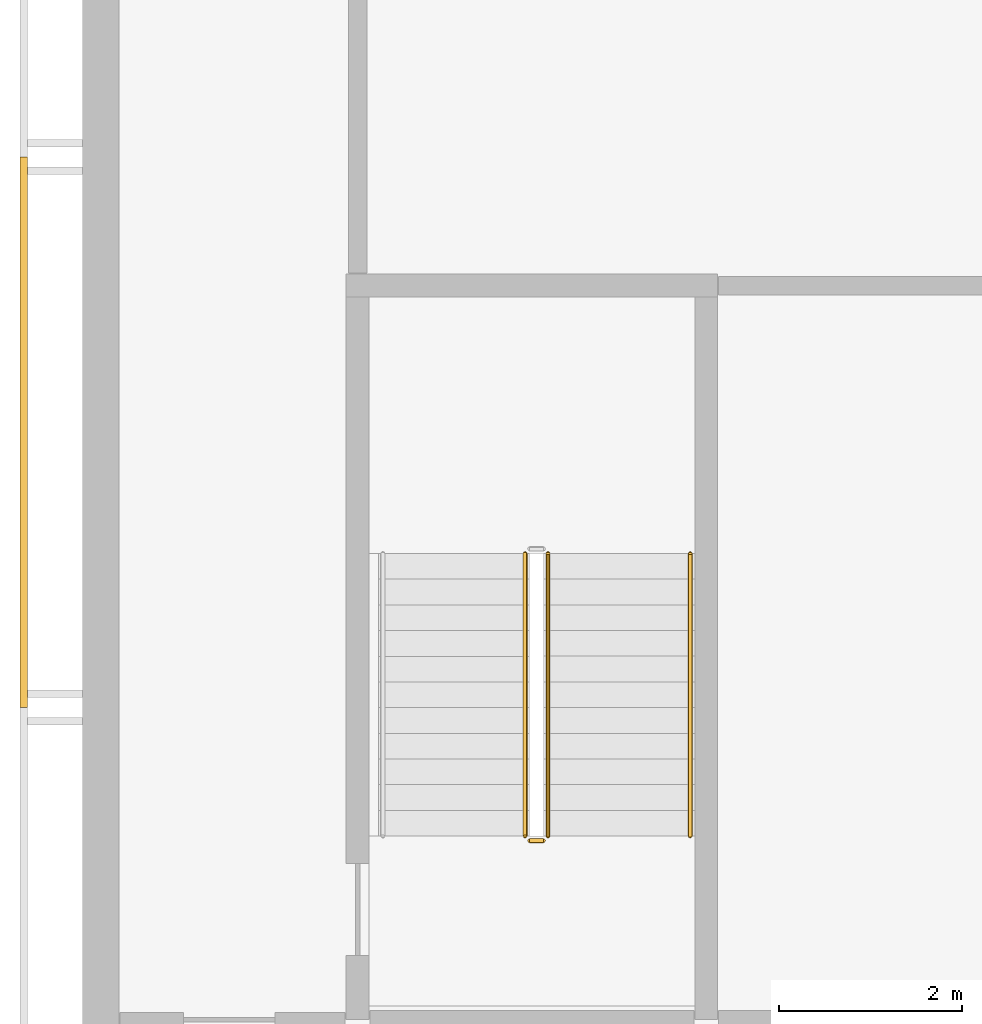
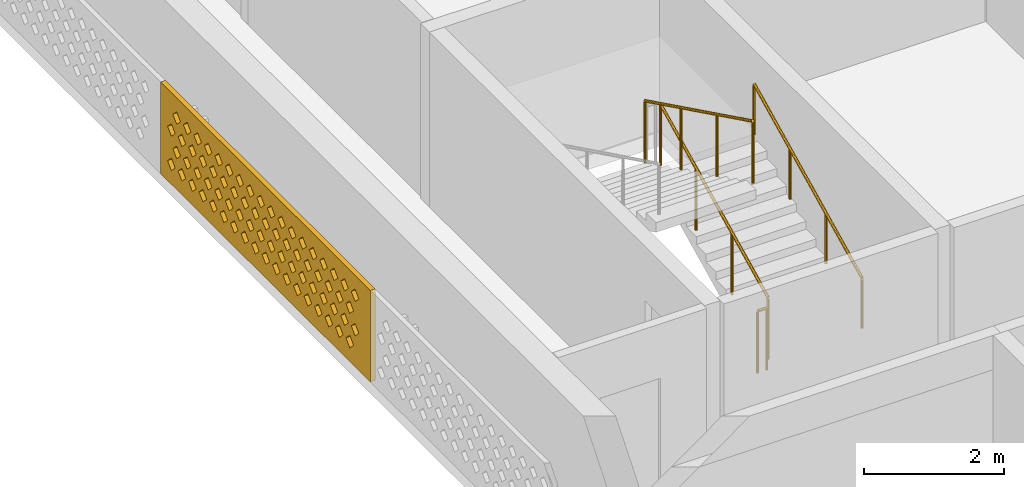
# One storey, part 8 of 18: 4 railings, 1 covering.
"""IFC4 building model written with IfcOpenShell, lengths in metres."""

import ifcopenshell
import ifcopenshell.guid

model = None  # the IFC model being written
_history = None  # IfcOwnerHistory: only IFC2X3 demands one
_inside = {}  # id of a spatial element -> (the spatial element, [elements in it])
_under = {}  # id of a project, library or spatial element -> (it, [spatial elements below it])
_declared = {}  # id of a project -> (the project, [libraries it declares])
_typed = {}  # id of a type object -> (the type object, [elements of that type])
_made_of = {}  # id of a material, layer set ... -> (it, [elements and type objects made of it])


def new_model(schema):
    """Start an empty IFC model of exactly this schema.

    Asked for "IFC4X3", IfcOpenShell would pick the latest addendum, in which some entities
    have other attributes; the version numbers below select the first issue.
    IFC2X3 requires an IfcOwnerHistory on every rooted entity: one is made here for all.
    """
    global model, _history
    if schema == "IFC4X3":
        model = ifcopenshell.file(schema_version=(4, 3, 0, 0))
    else:
        model = ifcopenshell.file(schema=schema)
    _inside.clear()
    _under.clear()
    _declared.clear()
    _typed.clear()
    _made_of.clear()
    _history = None
    if model.schema == "IFC2X3":
        org = make("IfcOrganization", Name="unknown")
        user = make(
            "IfcPersonAndOrganization",
            ThePerson=make("IfcPerson", FamilyName="unknown"),
            TheOrganization=org,
        )
        app = make(
            "IfcApplication",
            ApplicationDeveloper=org,
            Version="unknown",
            ApplicationFullName="unknown",
            ApplicationIdentifier="unknown",
        )
        _history = make(
            "IfcOwnerHistory",
            OwningUser=user,
            OwningApplication=app,
            ChangeAction="ADDED",
            CreationDate=0,
        )
    return model


def make(cls, **values):
    """One entity of the class cls with the attributes given. An attribute that is None is left unset."""
    return model.create_entity(
        cls, **{name: value for name, value in values.items() if value is not None}
    )


def rooted(cls, **values):
    """An entity with a GlobalId (a new one), such as an element, a storey or a relation."""
    return make(cls, GlobalId=ifcopenshell.guid.new(), OwnerHistory=_history, **values)


def si_unit(unit_type, name, prefix=None):
    """IfcSIUnit, for example si_unit("LENGTHUNIT", "METRE", prefix="MILLI")."""
    return make("IfcSIUnit", UnitType=unit_type, Prefix=prefix, Name=name)


def assignment(units):
    """IfcUnitAssignment: the units of a project."""
    return None if units is None else make("IfcUnitAssignment", Units=units)


def point(xyz):
    """IfcCartesianPoint."""
    return None if xyz is None else make("IfcCartesianPoint", Coordinates=xyz)


def direction(xyz):
    """IfcDirection."""
    return None if xyz is None else make("IfcDirection", DirectionRatios=xyz)


def frame(location, z_axis=None, x_axis=None):
    """IfcAxis2Placement3D, a coordinate frame: its origin and axes. An axis left out is left unset."""
    return make(
        "IfcAxis2Placement3D",
        Location=point(location),
        Axis=direction(z_axis),
        RefDirection=direction(x_axis),
    )


def frame_2d(location, x_axis=None):
    """IfcAxis2Placement2D, a coordinate frame in the plane: its origin and x axis."""
    return make(
        "IfcAxis2Placement2D", Location=point(location), RefDirection=direction(x_axis)
    )


def origin():
    """The frame at (0, 0, 0) with its axes left unset."""
    return frame((0.0, 0.0, 0.0))


def origin_2d():
    """The frame at (0, 0) in the plane with its x axis left unset."""
    return frame_2d((0.0, 0.0))


def place(relative_to, where):
    """IfcLocalPlacement: puts the frame where relative to a parent placement (None: the world)."""
    return make(
        "IfcLocalPlacement", PlacementRelTo=relative_to, RelativePlacement=where
    )


def context(
    kind, dimensions, precision=None, world=None, true_north=None, identifier=None
):
    """IfcGeometricRepresentationContext, for example the 3D "Model" context."""
    return make(
        "IfcGeometricRepresentationContext",
        ContextIdentifier=identifier,
        ContextType=kind,
        CoordinateSpaceDimension=dimensions,
        Precision=precision,
        WorldCoordinateSystem=world,
        TrueNorth=true_north,
    )


def subcontext(parent, identifier, kind, view, scale=None):
    """IfcGeometricRepresentationSubContext, for example "Body" below "Model"."""
    return make(
        "IfcGeometricRepresentationSubContext",
        ContextIdentifier=identifier,
        ContextType=kind,
        ParentContext=parent,
        TargetScale=scale,
        TargetView=view,
    )


def project(units=None, contexts=None):
    """IfcProject with its units and contexts."""
    return rooted(
        "IfcProject",
        Name="project",
        RepresentationContexts=contexts,
        UnitsInContext=assignment(units),
    )


def spatial(cls, under=None, at=None, **own):
    """A site, building, storey or space (cls), placed at a placement, below another one or the project."""
    s = rooted(cls, ObjectPlacement=at, **own)
    if under is not None:
        _under.setdefault(under.id(), (under, []))[1].append(s)
    return s


def polyline(points):
    """IfcPolyline through the points."""
    return make("IfcPolyline", Points=[point(p) for p in points])


def profile(cls, at=None, kind="AREA", **sizes):
    """A parametric profile (cls). Its sizes go by their IFC names, for example OverallWidth=200.0."""
    return make(cls, ProfileType=kind, Position=at, **sizes)


def circle(**sizes):
    """IfcCircleProfileDef."""
    return profile("IfcCircleProfileDef", **sizes)


def outline(outer, holes=None, kind="AREA"):
    """IfcArbitraryClosedProfileDef: a profile drawn as a closed curve; with holes, ...WithVoids."""
    if holes is None:
        return make("IfcArbitraryClosedProfileDef", ProfileType=kind, OuterCurve=outer)
    return make(
        "IfcArbitraryProfileDefWithVoids",
        ProfileType=kind,
        OuterCurve=outer,
        InnerCurves=holes,
    )


def extrude(swept, where, along, depth):
    """IfcExtrudedAreaSolid: the profile swept, set in the frame where, extruded along a direction by depth."""
    return make(
        "IfcExtrudedAreaSolid",
        SweptArea=swept,
        Position=where,
        ExtrudedDirection=direction(along),
        Depth=depth,
    )


def shape(context_of_items, identifier, shape_type, items):
    """IfcShapeRepresentation: the items that make up one representation, for example the "Body"."""
    return make(
        "IfcShapeRepresentation",
        ContextOfItems=context_of_items,
        RepresentationIdentifier=identifier,
        RepresentationType=shape_type,
        Items=items,
    )


def source(mapping_origin, context_of_items, identifier, shape_type, items):
    """IfcRepresentationMap: a shape defined once, which mapped items show again and again."""
    return make(
        "IfcRepresentationMap",
        MappingOrigin=mapping_origin,
        MappedRepresentation=shape(context_of_items, identifier, shape_type, items),
    )


def transform(
    local_origin,
    x_axis=None,
    y_axis=None,
    z_axis=None,
    scale=None,
    scale2=None,
    scale3=None,
    uniform=True,
):
    """IfcCartesianTransformationOperator3D, or its non-uniform kind. x_axis, y_axis, z_axis: its Axis1, 2, 3."""
    if uniform:
        return make(
            "IfcCartesianTransformationOperator3D",
            Axis1=direction(x_axis),
            Axis2=direction(y_axis),
            LocalOrigin=point(local_origin),
            Scale=scale,
            Axis3=direction(z_axis),
        )
    return make(
        "IfcCartesianTransformationOperator3DnonUniform",
        Axis1=direction(x_axis),
        Axis2=direction(y_axis),
        LocalOrigin=point(local_origin),
        Scale=scale,
        Axis3=direction(z_axis),
        Scale2=scale2,
        Scale3=scale3,
    )


def mapped(mapping_source, mapping_target):
    """IfcMappedItem: shows the shape of a source again, moved by a transform."""
    return make(
        "IfcMappedItem", MappingSource=mapping_source, MappingTarget=mapping_target
    )


def material(Name=None, Category=None):
    """IfcMaterial."""
    return make("IfcMaterial", Name=Name, Category=Category)


def material_profile(
    of_material, cross_section, Name=None, Category=None, Priority=None
):
    """IfcMaterialProfile: a cross section and its material."""
    return make(
        "IfcMaterialProfile",
        Name=Name,
        Material=of_material,
        Profile=cross_section,
        Priority=Priority,
        Category=Category,
    )


def profile_set(profiles, Name=None, composite=None):
    """IfcMaterialProfileSet."""
    return make(
        "IfcMaterialProfileSet",
        Name=Name,
        MaterialProfiles=profiles,
        CompositeProfile=composite,
    )


def made_of(thing, what):
    """Note that an element or type object is made of a material, layer set ...; save() writes the relation."""
    if what is not None:
        _made_of.setdefault(what.id(), (what, []))[1].append(thing)
    return thing


def type_object(cls, material=None, **own):
    """A type object (cls), such as IfcWallType, which elements share."""
    return made_of(rooted(cls, **own), material)


def element(
    cls,
    number,
    at=None,
    inside=None,
    cuts=None,
    type_object=None,
    material=None,
    context=None,
    identifier="Body",
    shape_type=None,
    held_by="IfcProductDefinitionShape",
    body=None,
    shapes=None,
    **own,
):
    """One element of the class cls, such as IfcWall. Its Tag is "e" and its number.

    at: its placement. inside: the storey or other place that contains it. cuts: it is an
    opening in that element (IfcRelVoidsElement). A single representation is given by context,
    identifier, shape_type and body (its items); several are given by shapes. held_by: the class
    of the entity that holds the representations. save() writes the other relations.
    """
    e = rooted(cls, Tag="e%d" % number, ObjectPlacement=at, **own)
    if body is not None:
        shapes = [shape(context, identifier, shape_type, body)]
    if shapes is not None:
        e.Representation = make(held_by, Representations=shapes)
    if inside is not None:
        _inside.setdefault(inside.id(), (inside, []))[1].append(e)
    if cuts is not None:
        rooted(
            "IfcRelVoidsElement", RelatingBuildingElement=cuts, RelatedOpeningElement=e
        )
    if type_object is not None:
        _typed.setdefault(type_object.id(), (type_object, []))[1].append(e)
    return made_of(e, material)


def aggregate(whole, parts):
    """IfcRelAggregates: a whole, such as a stair, and the parts it consists of."""
    return rooted("IfcRelAggregates", RelatingObject=whole, RelatedObjects=parts)


def save(model, path):
    """Write the relations noted so far, then the file.

    IfcRelAggregates (storeys below a building ...), IfcRelContainedInSpatialStructure (elements
    in a storey), IfcRelDefinesByType, IfcRelAssociatesMaterial and IfcRelDeclares: one each for
    every whole, place, type object, material and project.
    """
    for whole, parts in _under.values():
        aggregate(whole, parts)
    for where, things in _inside.values():
        rooted(
            "IfcRelContainedInSpatialStructure",
            RelatedElements=things,
            RelatingStructure=where,
        )
    for kind, things in _typed.values():
        rooted("IfcRelDefinesByType", RelatedObjects=things, RelatingType=kind)
    for what, things in _made_of.values():
        rooted("IfcRelAssociatesMaterial", RelatedObjects=things, RelatingMaterial=what)
    for by, libraries in _declared.values():
        rooted("IfcRelDeclares", RelatingContext=by, RelatedDefinitions=libraries)
    model.write(path)


model = new_model("IFC4")

# Units and contexts
model_context = context("Model", 3, precision=1e-05, world=origin(), true_north=direction((0.0, 1.0)))
body_context = subcontext(model_context, "Body", "Model", "MODEL_VIEW")
ifc_project = project(units=[si_unit("LENGTHUNIT", "METRE"), si_unit("AREAUNIT", "SQUARE_METRE"), si_unit("VOLUMEUNIT", "CUBIC_METRE"), si_unit("PLANEANGLEUNIT", "RADIAN"), si_unit("MASSUNIT", "GRAM", prefix="KILO")], contexts=[model_context])

# Site, building, storey
site_placement = place(None, origin())
site = spatial("IfcSite", under=ifc_project, at=site_placement, CompositionType="ELEMENT")
building_placement = place(site_placement, origin())
building = spatial("IfcBuilding", under=site, at=building_placement, Name="Poui Terraces", CompositionType="ELEMENT")
storey_placement = place(building_placement, frame((0.0, 0.0, 279.0)))
storey = spatial("IfcBuildingStorey", under=building, at=storey_placement, Name="L77 CROWN", CompositionType="ELEMENT", Elevation=279.0)

# Railings
ifc_material_1 = material(Name="Galvanised steel balustrade", Category="steel")
railing_type_1 = type_object("IfcRailingType", Name="STAIR GUARD 1100", PredefinedType="GUARDRAIL", material=ifc_material_1)
railing_1_placement = place(storey_placement, frame((22.875, 16.60009765625, 0.137451171875)))
element("IfcRailing", 1, at=railing_1_placement, inside=storey, type_object=railing_type_1, Name="L77 CROWN ST-W stair guard 1", PredefinedType="GUARDRAIL", context=body_context, shape_type="SweptSolid", body=[
    extrude(circle(Radius=0.02392578125, at=origin_2d()), frame((0.0, 0.0, 1.076171875), z_axis=(0.0, 0.897606190399, 0.440798283751), x_axis=(-1.0, 0.0, 0.0)), (0.0, 0.0, 1.0), 3.43115234375),
    extrude(circle(Radius=0.02099609375, at=origin_2d()), origin(), (0.0, 0.0, 1.0), 1.052001953125),
    extrude(circle(Radius=0.02099609375, at=origin_2d()), frame((0.0, 1.026611328125, 0.504150390625)), (0.0, 0.0, 1.0), 1.052001953125),
    extrude(circle(Radius=0.02099609375, at=origin_2d()), frame((0.0, 2.05322265625, 1.00830078125)), (0.0, 0.0, 1.0), 1.052001953125),
    extrude(circle(Radius=0.02099609375, at=origin_2d()), frame((0.0, 3.079833984375, 1.512451171875)), (0.0, 0.0, 1.0), 1.052001953125),
])
railing_2_placement = place(storey_placement, frame((22.625, 19.679931640625, 1.78759765625)))
element("IfcRailing", 2, at=railing_2_placement, inside=storey, type_object=railing_type_1, Name="L77 CROWN ST-W stair guard 3", PredefinedType="GUARDRAIL", context=body_context, shape_type="SweptSolid", body=[
    extrude(circle(Radius=0.02392578125, at=origin_2d()), frame((0.0, 0.0, 1.076171875), z_axis=(0.0, -0.897606190399, 0.440798283751), x_axis=(1.0, 0.0, 0.0)), (0.0, 0.0, 1.0), 3.43115234375),
    extrude(circle(Radius=0.02099609375, at=origin_2d()), origin(), (0.0, 0.0, 1.0), 1.052001953125),
    extrude(circle(Radius=0.02099609375, at=origin_2d()), frame((0.0, -1.026611328125, 0.504150390625)), (0.0, 0.0, 1.0), 1.052001953125),
    extrude(circle(Radius=0.02099609375, at=origin_2d()), frame((0.0, -2.05322265625, 1.00830078125)), (0.0, 0.0, 1.0), 1.052001953125),
    extrude(circle(Radius=0.02099609375, at=origin_2d()), frame((0.0, -3.079833984375, 1.512451171875)), (0.0, 0.0, 1.0), 1.052001953125),
])
railing_3_placement = place(storey_placement, frame((22.824951171875, 16.550048828125, 0.0)))
element("IfcRailing", 3, at=railing_3_placement, inside=storey, type_object=railing_type_1, Name="L77 CROWN ST-W stair guard 4", PredefinedType="GUARDRAIL", context=body_context, shape_type="SweptSolid", body=[
    extrude(circle(Radius=0.02392578125, at=origin_2d()), frame((0.0, 0.0, 1.076171875), z_axis=(-1.0, 0.0, 0.0), x_axis=(0.0, -1.0, 0.0)), (0.0, 0.0, 1.0), 0.14990234375),
    extrude(circle(Radius=0.02099609375, at=origin_2d()), origin(), (0.0, 0.0, 1.0), 1.052001953125),
    extrude(circle(Radius=0.02099609375, at=origin_2d()), frame((-0.14990234375, 0.0, 0.0)), (0.0, 0.0, 1.0), 1.052001953125),
])
ifc_material_2 = material(Name="Stainless steel handrail", Category="steel")
railing_type_2 = type_object("IfcRailingType", Name="STAIR HANDRAIL 900", PredefinedType="HANDRAIL", material=ifc_material_2)
railing_4_placement = place(storey_placement, frame((24.425048828125, 16.60009765625, 0.137451171875)))
element("IfcRailing", 4, at=railing_4_placement, inside=storey, type_object=railing_type_2, Name="L77 CROWN ST-W stair handrail 1", PredefinedType="HANDRAIL", context=body_context, shape_type="SweptSolid", body=[
    extrude(circle(Radius=0.02392578125, at=origin_2d()), frame((0.0, 0.0, 0.8759765625), z_axis=(0.0, 0.897606190399, 0.440798283751), x_axis=(-1.0, 0.0, 0.0)), (0.0, 0.0, 1.0), 3.43115234375),
    extrude(circle(Radius=0.02099609375, at=origin_2d()), origin(), (0.0, 0.0, 1.0), 0.851806640625),
    extrude(circle(Radius=0.02099609375, at=origin_2d()), frame((0.0, 1.026611328125, 0.504150390625)), (0.0, 0.0, 1.0), 0.851806640625),
    extrude(circle(Radius=0.02099609375, at=origin_2d()), frame((0.0, 2.05322265625, 1.00830078125)), (0.0, 0.0, 1.0), 0.851806640625),
    extrude(circle(Radius=0.02099609375, at=origin_2d()), frame((0.0, 3.079833984375, 1.512451171875)), (0.0, 0.0, 1.0), 0.851806640625),
])

# Covering
ifc_material_3 = material(Name="Terracotta screen", Category="masonry")
ifc_material_profile = material_profile(ifc_material_3, outline(polyline([(-3.0, -0.800048828125), (3.0, -0.800048828125), (3.0, 0.800048828125), (-3.0, 0.800048828125), (-3.0, -0.800048828125)]), holes=[polyline([(-2.800048828125, -0.449951171875), (-2.68994140625, -0.56005859375), (-2.580078125, -0.449951171875), (-2.68994140625, -0.340087890625), (-2.800048828125, -0.449951171875)]), polyline([(-2.5, -0.449951171875), (-2.389892578125, -0.56005859375), (-2.280029296875, -0.449951171875), (-2.389892578125, -0.340087890625), (-2.5, -0.449951171875)]), polyline([(-2.199951171875, -0.449951171875), (-2.090087890625, -0.56005859375), (-1.97998046875, -0.449951171875), (-2.090087890625, -0.340087890625), (-2.199951171875, -0.449951171875)]), polyline([(-1.89990234375, -0.449951171875), (-1.7900390625, -0.56005859375), (-1.679931640625, -0.449951171875), (-1.7900390625, -0.340087890625), (-1.89990234375, -0.449951171875)]), polyline([(-1.60009765625, -0.449951171875), (-1.489990234375, -0.56005859375), (-1.3798828125, -0.449951171875), (-1.489990234375, -0.340087890625), (-1.60009765625, -0.449951171875)]), polyline([(-1.300048828125, -0.449951171875), (-1.18994140625, -0.56005859375), (-1.080078125, -0.449951171875), (-1.18994140625, -0.340087890625), (-1.300048828125, -0.449951171875)]), polyline([(-1.0, -0.449951171875), (-0.889892578125, -0.56005859375), (-0.780029296875, -0.449951171875), (-0.889892578125, -0.340087890625), (-1.0, -0.449951171875)]), polyline([(-0.699951171875, -0.449951171875), (-0.590087890625, -0.56005859375), (-0.47998046875, -0.449951171875), (-0.590087890625, -0.340087890625), (-0.699951171875, -0.449951171875)]), polyline([(-0.39990234375, -0.449951171875), (-0.2900390625, -0.56005859375), (-0.179931640625, -0.449951171875), (-0.2900390625, -0.340087890625), (-0.39990234375, -0.449951171875)]), polyline([(-0.10009765625, -0.449951171875), (0.010009765625, -0.56005859375), (0.1201171875, -0.449951171875), (0.010009765625, -0.340087890625), (-0.10009765625, -0.449951171875)]), polyline([(0.199951171875, -0.449951171875), (0.31005859375, -0.56005859375), (0.419921875, -0.449951171875), (0.31005859375, -0.340087890625), (0.199951171875, -0.449951171875)]), polyline([(0.5, -0.449951171875), (0.610107421875, -0.56005859375), (0.719970703125, -0.449951171875), (0.610107421875, -0.340087890625), (0.5, -0.449951171875)]), polyline([(0.800048828125, -0.449951171875), (0.909912109375, -0.56005859375), (1.02001953125, -0.449951171875), (0.909912109375, -0.340087890625), (0.800048828125, -0.449951171875)]), polyline([(1.10009765625, -0.449951171875), (1.2099609375, -0.56005859375), (1.320068359375, -0.449951171875), (1.2099609375, -0.340087890625), (1.10009765625, -0.449951171875)]), polyline([(1.39990234375, -0.449951171875), (1.510009765625, -0.56005859375), (1.6201171875, -0.449951171875), (1.510009765625, -0.340087890625), (1.39990234375, -0.449951171875)]), polyline([(1.699951171875, -0.449951171875), (1.81005859375, -0.56005859375), (1.919921875, -0.449951171875), (1.81005859375, -0.340087890625), (1.699951171875, -0.449951171875)]), polyline([(2.0, -0.449951171875), (2.110107421875, -0.56005859375), (2.219970703125, -0.449951171875), (2.110107421875, -0.340087890625), (2.0, -0.449951171875)]), polyline([(2.300048828125, -0.449951171875), (2.409912109375, -0.56005859375), (2.52001953125, -0.449951171875), (2.409912109375, -0.340087890625), (2.300048828125, -0.449951171875)]), polyline([(-2.64990234375, -0.14990234375), (-2.5400390625, -0.260009765625), (-2.429931640625, -0.14990234375), (-2.5400390625, -0.0400390625), (-2.64990234375, -0.14990234375)]), polyline([(-2.35009765625, -0.14990234375), (-2.239990234375, -0.260009765625), (-2.1298828125, -0.14990234375), (-2.239990234375, -0.0400390625), (-2.35009765625, -0.14990234375)]), polyline([(-2.050048828125, -0.14990234375), (-1.93994140625, -0.260009765625), (-1.830078125, -0.14990234375), (-1.93994140625, -0.0400390625), (-2.050048828125, -0.14990234375)]), polyline([(-1.75, -0.14990234375), (-1.639892578125, -0.260009765625), (-1.530029296875, -0.14990234375), (-1.639892578125, -0.0400390625), (-1.75, -0.14990234375)]), polyline([(-1.449951171875, -0.14990234375), (-1.340087890625, -0.260009765625), (-1.22998046875, -0.14990234375), (-1.340087890625, -0.0400390625), (-1.449951171875, -0.14990234375)]), polyline([(-1.14990234375, -0.14990234375), (-1.0400390625, -0.260009765625), (-0.929931640625, -0.14990234375), (-1.0400390625, -0.0400390625), (-1.14990234375, -0.14990234375)]), polyline([(-0.85009765625, -0.14990234375), (-0.739990234375, -0.260009765625), (-0.6298828125, -0.14990234375), (-0.739990234375, -0.0400390625), (-0.85009765625, -0.14990234375)]), polyline([(-0.550048828125, -0.14990234375), (-0.43994140625, -0.260009765625), (-0.330078125, -0.14990234375), (-0.43994140625, -0.0400390625), (-0.550048828125, -0.14990234375)]), polyline([(-0.25, -0.14990234375), (-0.139892578125, -0.260009765625), (-0.030029296875, -0.14990234375), (-0.139892578125, -0.0400390625), (-0.25, -0.14990234375)]), polyline([(0.050048828125, -0.14990234375), (0.159912109375, -0.260009765625), (0.27001953125, -0.14990234375), (0.159912109375, -0.0400390625), (0.050048828125, -0.14990234375)]), polyline([(0.35009765625, -0.14990234375), (0.4599609375, -0.260009765625), (0.570068359375, -0.14990234375), (0.4599609375, -0.0400390625), (0.35009765625, -0.14990234375)]), polyline([(0.64990234375, -0.14990234375), (0.760009765625, -0.260009765625), (0.8701171875, -0.14990234375), (0.760009765625, -0.0400390625), (0.64990234375, -0.14990234375)]), polyline([(0.949951171875, -0.14990234375), (1.06005859375, -0.260009765625), (1.169921875, -0.14990234375), (1.06005859375, -0.0400390625), (0.949951171875, -0.14990234375)]), polyline([(1.25, -0.14990234375), (1.360107421875, -0.260009765625), (1.469970703125, -0.14990234375), (1.360107421875, -0.0400390625), (1.25, -0.14990234375)]), polyline([(1.550048828125, -0.14990234375), (1.659912109375, -0.260009765625), (1.77001953125, -0.14990234375), (1.659912109375, -0.0400390625), (1.550048828125, -0.14990234375)]), polyline([(1.85009765625, -0.14990234375), (1.9599609375, -0.260009765625), (2.070068359375, -0.14990234375), (1.9599609375, -0.0400390625), (1.85009765625, -0.14990234375)]), polyline([(2.14990234375, -0.14990234375), (2.260009765625, -0.260009765625), (2.3701171875, -0.14990234375), (2.260009765625, -0.0400390625), (2.14990234375, -0.14990234375)]), polyline([(2.449951171875, -0.14990234375), (2.56005859375, -0.260009765625), (2.669921875, -0.14990234375), (2.56005859375, -0.0400390625), (2.449951171875, -0.14990234375)]), polyline([(-2.800048828125, 0.14990234375), (-2.68994140625, 0.0400390625), (-2.580078125, 0.14990234375), (-2.68994140625, 0.260009765625), (-2.800048828125, 0.14990234375)]), polyline([(-2.5, 0.14990234375), (-2.389892578125, 0.0400390625), (-2.280029296875, 0.14990234375), (-2.389892578125, 0.260009765625), (-2.5, 0.14990234375)]), polyline([(-2.199951171875, 0.14990234375), (-2.090087890625, 0.0400390625), (-1.97998046875, 0.14990234375), (-2.090087890625, 0.260009765625), (-2.199951171875, 0.14990234375)]), polyline([(-1.89990234375, 0.14990234375), (-1.7900390625, 0.0400390625), (-1.679931640625, 0.14990234375), (-1.7900390625, 0.260009765625), (-1.89990234375, 0.14990234375)]), polyline([(-1.60009765625, 0.14990234375), (-1.489990234375, 0.0400390625), (-1.3798828125, 0.14990234375), (-1.489990234375, 0.260009765625), (-1.60009765625, 0.14990234375)]), polyline([(-1.300048828125, 0.14990234375), (-1.18994140625, 0.0400390625), (-1.080078125, 0.14990234375), (-1.18994140625, 0.260009765625), (-1.300048828125, 0.14990234375)]), polyline([(-1.0, 0.14990234375), (-0.889892578125, 0.0400390625), (-0.780029296875, 0.14990234375), (-0.889892578125, 0.260009765625), (-1.0, 0.14990234375)]), polyline([(-0.699951171875, 0.14990234375), (-0.590087890625, 0.0400390625), (-0.47998046875, 0.14990234375), (-0.590087890625, 0.260009765625), (-0.699951171875, 0.14990234375)]), polyline([(-0.39990234375, 0.14990234375), (-0.2900390625, 0.0400390625), (-0.179931640625, 0.14990234375), (-0.2900390625, 0.260009765625), (-0.39990234375, 0.14990234375)]), polyline([(-0.10009765625, 0.14990234375), (0.010009765625, 0.0400390625), (0.1201171875, 0.14990234375), (0.010009765625, 0.260009765625), (-0.10009765625, 0.14990234375)]), polyline([(0.199951171875, 0.14990234375), (0.31005859375, 0.0400390625), (0.419921875, 0.14990234375), (0.31005859375, 0.260009765625), (0.199951171875, 0.14990234375)]), polyline([(0.5, 0.14990234375), (0.610107421875, 0.0400390625), (0.719970703125, 0.14990234375), (0.610107421875, 0.260009765625), (0.5, 0.14990234375)]), polyline([(0.800048828125, 0.14990234375), (0.909912109375, 0.0400390625), (1.02001953125, 0.14990234375), (0.909912109375, 0.260009765625), (0.800048828125, 0.14990234375)]), polyline([(1.10009765625, 0.14990234375), (1.2099609375, 0.0400390625), (1.320068359375, 0.14990234375), (1.2099609375, 0.260009765625), (1.10009765625, 0.14990234375)]), polyline([(1.39990234375, 0.14990234375), (1.510009765625, 0.0400390625), (1.6201171875, 0.14990234375), (1.510009765625, 0.260009765625), (1.39990234375, 0.14990234375)]), polyline([(1.699951171875, 0.14990234375), (1.81005859375, 0.0400390625), (1.919921875, 0.14990234375), (1.81005859375, 0.260009765625), (1.699951171875, 0.14990234375)]), polyline([(2.0, 0.14990234375), (2.110107421875, 0.0400390625), (2.219970703125, 0.14990234375), (2.110107421875, 0.260009765625), (2.0, 0.14990234375)]), polyline([(2.300048828125, 0.14990234375), (2.409912109375, 0.0400390625), (2.52001953125, 0.14990234375), (2.409912109375, 0.260009765625), (2.300048828125, 0.14990234375)]), polyline([(-2.64990234375, 0.449951171875), (-2.5400390625, 0.340087890625), (-2.429931640625, 0.449951171875), (-2.5400390625, 0.56005859375), (-2.64990234375, 0.449951171875)]), polyline([(-2.35009765625, 0.449951171875), (-2.239990234375, 0.340087890625), (-2.1298828125, 0.449951171875), (-2.239990234375, 0.56005859375), (-2.35009765625, 0.449951171875)]), polyline([(-2.050048828125, 0.449951171875), (-1.93994140625, 0.340087890625), (-1.830078125, 0.449951171875), (-1.93994140625, 0.56005859375), (-2.050048828125, 0.449951171875)]), polyline([(-1.75, 0.449951171875), (-1.639892578125, 0.340087890625), (-1.530029296875, 0.449951171875), (-1.639892578125, 0.56005859375), (-1.75, 0.449951171875)]), polyline([(-1.449951171875, 0.449951171875), (-1.340087890625, 0.340087890625), (-1.22998046875, 0.449951171875), (-1.340087890625, 0.56005859375), (-1.449951171875, 0.449951171875)]), polyline([(-1.14990234375, 0.449951171875), (-1.0400390625, 0.340087890625), (-0.929931640625, 0.449951171875), (-1.0400390625, 0.56005859375), (-1.14990234375, 0.449951171875)]), polyline([(-0.85009765625, 0.449951171875), (-0.739990234375, 0.340087890625), (-0.6298828125, 0.449951171875), (-0.739990234375, 0.56005859375), (-0.85009765625, 0.449951171875)]), polyline([(-0.550048828125, 0.449951171875), (-0.43994140625, 0.340087890625), (-0.330078125, 0.449951171875), (-0.43994140625, 0.56005859375), (-0.550048828125, 0.449951171875)]), polyline([(-0.25, 0.449951171875), (-0.139892578125, 0.340087890625), (-0.030029296875, 0.449951171875), (-0.139892578125, 0.56005859375), (-0.25, 0.449951171875)]), polyline([(0.050048828125, 0.449951171875), (0.159912109375, 0.340087890625), (0.27001953125, 0.449951171875), (0.159912109375, 0.56005859375), (0.050048828125, 0.449951171875)]), polyline([(0.35009765625, 0.449951171875), (0.4599609375, 0.340087890625), (0.570068359375, 0.449951171875), (0.4599609375, 0.56005859375), (0.35009765625, 0.449951171875)]), polyline([(0.64990234375, 0.449951171875), (0.760009765625, 0.340087890625), (0.8701171875, 0.449951171875), (0.760009765625, 0.56005859375), (0.64990234375, 0.449951171875)]), polyline([(0.949951171875, 0.449951171875), (1.06005859375, 0.340087890625), (1.169921875, 0.449951171875), (1.06005859375, 0.56005859375), (0.949951171875, 0.449951171875)]), polyline([(1.25, 0.449951171875), (1.360107421875, 0.340087890625), (1.469970703125, 0.449951171875), (1.360107421875, 0.56005859375), (1.25, 0.449951171875)]), polyline([(1.550048828125, 0.449951171875), (1.659912109375, 0.340087890625), (1.77001953125, 0.449951171875), (1.659912109375, 0.56005859375), (1.550048828125, 0.449951171875)]), polyline([(1.85009765625, 0.449951171875), (1.9599609375, 0.340087890625), (2.070068359375, 0.449951171875), (1.9599609375, 0.56005859375), (1.85009765625, 0.449951171875)]), polyline([(2.14990234375, 0.449951171875), (2.260009765625, 0.340087890625), (2.3701171875, 0.449951171875), (2.260009765625, 0.56005859375), (2.14990234375, 0.449951171875)]), polyline([(2.449951171875, 0.449951171875), (2.56005859375, 0.340087890625), (2.669921875, 0.449951171875), (2.56005859375, 0.56005859375), (2.449951171875, 0.449951171875)])]), Name="TERRACOTTA SOLAR SCREEN 6000X1600")
ifc_profile_set = profile_set([ifc_material_profile], Name="Terracotta screen")
covering_type = type_object("IfcCoveringType", Name="TERRACOTTA SOLAR SCREEN 6000X1600", PredefinedType="CLADDING", material=ifc_profile_set)
shared_shape = source(origin(), body_context, "Body", "SweptSolid", [
    extrude(outline(polyline([(-3.0, -0.800048828125), (3.0, -0.800048828125), (3.0, 0.800048828125), (-3.0, 0.800048828125), (-3.0, -0.800048828125)]), holes=[polyline([(-2.800048828125, -0.449951171875), (-2.68994140625, -0.56005859375), (-2.580078125, -0.449951171875), (-2.68994140625, -0.340087890625), (-2.800048828125, -0.449951171875)]), polyline([(-2.5, -0.449951171875), (-2.389892578125, -0.56005859375), (-2.280029296875, -0.449951171875), (-2.389892578125, -0.340087890625), (-2.5, -0.449951171875)]), polyline([(-2.199951171875, -0.449951171875), (-2.090087890625, -0.56005859375), (-1.97998046875, -0.449951171875), (-2.090087890625, -0.340087890625), (-2.199951171875, -0.449951171875)]), polyline([(-1.89990234375, -0.449951171875), (-1.7900390625, -0.56005859375), (-1.679931640625, -0.449951171875), (-1.7900390625, -0.340087890625), (-1.89990234375, -0.449951171875)]), polyline([(-1.60009765625, -0.449951171875), (-1.489990234375, -0.56005859375), (-1.3798828125, -0.449951171875), (-1.489990234375, -0.340087890625), (-1.60009765625, -0.449951171875)]), polyline([(-1.300048828125, -0.449951171875), (-1.18994140625, -0.56005859375), (-1.080078125, -0.449951171875), (-1.18994140625, -0.340087890625), (-1.300048828125, -0.449951171875)]), polyline([(-1.0, -0.449951171875), (-0.889892578125, -0.56005859375), (-0.780029296875, -0.449951171875), (-0.889892578125, -0.340087890625), (-1.0, -0.449951171875)]), polyline([(-0.699951171875, -0.449951171875), (-0.590087890625, -0.56005859375), (-0.47998046875, -0.449951171875), (-0.590087890625, -0.340087890625), (-0.699951171875, -0.449951171875)]), polyline([(-0.39990234375, -0.449951171875), (-0.2900390625, -0.56005859375), (-0.179931640625, -0.449951171875), (-0.2900390625, -0.340087890625), (-0.39990234375, -0.449951171875)]), polyline([(-0.10009765625, -0.449951171875), (0.010009765625, -0.56005859375), (0.1201171875, -0.449951171875), (0.010009765625, -0.340087890625), (-0.10009765625, -0.449951171875)]), polyline([(0.199951171875, -0.449951171875), (0.31005859375, -0.56005859375), (0.419921875, -0.449951171875), (0.31005859375, -0.340087890625), (0.199951171875, -0.449951171875)]), polyline([(0.5, -0.449951171875), (0.610107421875, -0.56005859375), (0.719970703125, -0.449951171875), (0.610107421875, -0.340087890625), (0.5, -0.449951171875)]), polyline([(0.800048828125, -0.449951171875), (0.909912109375, -0.56005859375), (1.02001953125, -0.449951171875), (0.909912109375, -0.340087890625), (0.800048828125, -0.449951171875)]), polyline([(1.10009765625, -0.449951171875), (1.2099609375, -0.56005859375), (1.320068359375, -0.449951171875), (1.2099609375, -0.340087890625), (1.10009765625, -0.449951171875)]), polyline([(1.39990234375, -0.449951171875), (1.510009765625, -0.56005859375), (1.6201171875, -0.449951171875), (1.510009765625, -0.340087890625), (1.39990234375, -0.449951171875)]), polyline([(1.699951171875, -0.449951171875), (1.81005859375, -0.56005859375), (1.919921875, -0.449951171875), (1.81005859375, -0.340087890625), (1.699951171875, -0.449951171875)]), polyline([(2.0, -0.449951171875), (2.110107421875, -0.56005859375), (2.219970703125, -0.449951171875), (2.110107421875, -0.340087890625), (2.0, -0.449951171875)]), polyline([(2.300048828125, -0.449951171875), (2.409912109375, -0.56005859375), (2.52001953125, -0.449951171875), (2.409912109375, -0.340087890625), (2.300048828125, -0.449951171875)]), polyline([(-2.64990234375, -0.14990234375), (-2.5400390625, -0.260009765625), (-2.429931640625, -0.14990234375), (-2.5400390625, -0.0400390625), (-2.64990234375, -0.14990234375)]), polyline([(-2.35009765625, -0.14990234375), (-2.239990234375, -0.260009765625), (-2.1298828125, -0.14990234375), (-2.239990234375, -0.0400390625), (-2.35009765625, -0.14990234375)]), polyline([(-2.050048828125, -0.14990234375), (-1.93994140625, -0.260009765625), (-1.830078125, -0.14990234375), (-1.93994140625, -0.0400390625), (-2.050048828125, -0.14990234375)]), polyline([(-1.75, -0.14990234375), (-1.639892578125, -0.260009765625), (-1.530029296875, -0.14990234375), (-1.639892578125, -0.0400390625), (-1.75, -0.14990234375)]), polyline([(-1.449951171875, -0.14990234375), (-1.340087890625, -0.260009765625), (-1.22998046875, -0.14990234375), (-1.340087890625, -0.0400390625), (-1.449951171875, -0.14990234375)]), polyline([(-1.14990234375, -0.14990234375), (-1.0400390625, -0.260009765625), (-0.929931640625, -0.14990234375), (-1.0400390625, -0.0400390625), (-1.14990234375, -0.14990234375)]), polyline([(-0.85009765625, -0.14990234375), (-0.739990234375, -0.260009765625), (-0.6298828125, -0.14990234375), (-0.739990234375, -0.0400390625), (-0.85009765625, -0.14990234375)]), polyline([(-0.550048828125, -0.14990234375), (-0.43994140625, -0.260009765625), (-0.330078125, -0.14990234375), (-0.43994140625, -0.0400390625), (-0.550048828125, -0.14990234375)]), polyline([(-0.25, -0.14990234375), (-0.139892578125, -0.260009765625), (-0.030029296875, -0.14990234375), (-0.139892578125, -0.0400390625), (-0.25, -0.14990234375)]), polyline([(0.050048828125, -0.14990234375), (0.159912109375, -0.260009765625), (0.27001953125, -0.14990234375), (0.159912109375, -0.0400390625), (0.050048828125, -0.14990234375)]), polyline([(0.35009765625, -0.14990234375), (0.4599609375, -0.260009765625), (0.570068359375, -0.14990234375), (0.4599609375, -0.0400390625), (0.35009765625, -0.14990234375)]), polyline([(0.64990234375, -0.14990234375), (0.760009765625, -0.260009765625), (0.8701171875, -0.14990234375), (0.760009765625, -0.0400390625), (0.64990234375, -0.14990234375)]), polyline([(0.949951171875, -0.14990234375), (1.06005859375, -0.260009765625), (1.169921875, -0.14990234375), (1.06005859375, -0.0400390625), (0.949951171875, -0.14990234375)]), polyline([(1.25, -0.14990234375), (1.360107421875, -0.260009765625), (1.469970703125, -0.14990234375), (1.360107421875, -0.0400390625), (1.25, -0.14990234375)]), polyline([(1.550048828125, -0.14990234375), (1.659912109375, -0.260009765625), (1.77001953125, -0.14990234375), (1.659912109375, -0.0400390625), (1.550048828125, -0.14990234375)]), polyline([(1.85009765625, -0.14990234375), (1.9599609375, -0.260009765625), (2.070068359375, -0.14990234375), (1.9599609375, -0.0400390625), (1.85009765625, -0.14990234375)]), polyline([(2.14990234375, -0.14990234375), (2.260009765625, -0.260009765625), (2.3701171875, -0.14990234375), (2.260009765625, -0.0400390625), (2.14990234375, -0.14990234375)]), polyline([(2.449951171875, -0.14990234375), (2.56005859375, -0.260009765625), (2.669921875, -0.14990234375), (2.56005859375, -0.0400390625), (2.449951171875, -0.14990234375)]), polyline([(-2.800048828125, 0.14990234375), (-2.68994140625, 0.0400390625), (-2.580078125, 0.14990234375), (-2.68994140625, 0.260009765625), (-2.800048828125, 0.14990234375)]), polyline([(-2.5, 0.14990234375), (-2.389892578125, 0.0400390625), (-2.280029296875, 0.14990234375), (-2.389892578125, 0.260009765625), (-2.5, 0.14990234375)]), polyline([(-2.199951171875, 0.14990234375), (-2.090087890625, 0.0400390625), (-1.97998046875, 0.14990234375), (-2.090087890625, 0.260009765625), (-2.199951171875, 0.14990234375)]), polyline([(-1.89990234375, 0.14990234375), (-1.7900390625, 0.0400390625), (-1.679931640625, 0.14990234375), (-1.7900390625, 0.260009765625), (-1.89990234375, 0.14990234375)]), polyline([(-1.60009765625, 0.14990234375), (-1.489990234375, 0.0400390625), (-1.3798828125, 0.14990234375), (-1.489990234375, 0.260009765625), (-1.60009765625, 0.14990234375)]), polyline([(-1.300048828125, 0.14990234375), (-1.18994140625, 0.0400390625), (-1.080078125, 0.14990234375), (-1.18994140625, 0.260009765625), (-1.300048828125, 0.14990234375)]), polyline([(-1.0, 0.14990234375), (-0.889892578125, 0.0400390625), (-0.780029296875, 0.14990234375), (-0.889892578125, 0.260009765625), (-1.0, 0.14990234375)]), polyline([(-0.699951171875, 0.14990234375), (-0.590087890625, 0.0400390625), (-0.47998046875, 0.14990234375), (-0.590087890625, 0.260009765625), (-0.699951171875, 0.14990234375)]), polyline([(-0.39990234375, 0.14990234375), (-0.2900390625, 0.0400390625), (-0.179931640625, 0.14990234375), (-0.2900390625, 0.260009765625), (-0.39990234375, 0.14990234375)]), polyline([(-0.10009765625, 0.14990234375), (0.010009765625, 0.0400390625), (0.1201171875, 0.14990234375), (0.010009765625, 0.260009765625), (-0.10009765625, 0.14990234375)]), polyline([(0.199951171875, 0.14990234375), (0.31005859375, 0.0400390625), (0.419921875, 0.14990234375), (0.31005859375, 0.260009765625), (0.199951171875, 0.14990234375)]), polyline([(0.5, 0.14990234375), (0.610107421875, 0.0400390625), (0.719970703125, 0.14990234375), (0.610107421875, 0.260009765625), (0.5, 0.14990234375)]), polyline([(0.800048828125, 0.14990234375), (0.909912109375, 0.0400390625), (1.02001953125, 0.14990234375), (0.909912109375, 0.260009765625), (0.800048828125, 0.14990234375)]), polyline([(1.10009765625, 0.14990234375), (1.2099609375, 0.0400390625), (1.320068359375, 0.14990234375), (1.2099609375, 0.260009765625), (1.10009765625, 0.14990234375)]), polyline([(1.39990234375, 0.14990234375), (1.510009765625, 0.0400390625), (1.6201171875, 0.14990234375), (1.510009765625, 0.260009765625), (1.39990234375, 0.14990234375)]), polyline([(1.699951171875, 0.14990234375), (1.81005859375, 0.0400390625), (1.919921875, 0.14990234375), (1.81005859375, 0.260009765625), (1.699951171875, 0.14990234375)]), polyline([(2.0, 0.14990234375), (2.110107421875, 0.0400390625), (2.219970703125, 0.14990234375), (2.110107421875, 0.260009765625), (2.0, 0.14990234375)]), polyline([(2.300048828125, 0.14990234375), (2.409912109375, 0.0400390625), (2.52001953125, 0.14990234375), (2.409912109375, 0.260009765625), (2.300048828125, 0.14990234375)]), polyline([(-2.64990234375, 0.449951171875), (-2.5400390625, 0.340087890625), (-2.429931640625, 0.449951171875), (-2.5400390625, 0.56005859375), (-2.64990234375, 0.449951171875)]), polyline([(-2.35009765625, 0.449951171875), (-2.239990234375, 0.340087890625), (-2.1298828125, 0.449951171875), (-2.239990234375, 0.56005859375), (-2.35009765625, 0.449951171875)]), polyline([(-2.050048828125, 0.449951171875), (-1.93994140625, 0.340087890625), (-1.830078125, 0.449951171875), (-1.93994140625, 0.56005859375), (-2.050048828125, 0.449951171875)]), polyline([(-1.75, 0.449951171875), (-1.639892578125, 0.340087890625), (-1.530029296875, 0.449951171875), (-1.639892578125, 0.56005859375), (-1.75, 0.449951171875)]), polyline([(-1.449951171875, 0.449951171875), (-1.340087890625, 0.340087890625), (-1.22998046875, 0.449951171875), (-1.340087890625, 0.56005859375), (-1.449951171875, 0.449951171875)]), polyline([(-1.14990234375, 0.449951171875), (-1.0400390625, 0.340087890625), (-0.929931640625, 0.449951171875), (-1.0400390625, 0.56005859375), (-1.14990234375, 0.449951171875)]), polyline([(-0.85009765625, 0.449951171875), (-0.739990234375, 0.340087890625), (-0.6298828125, 0.449951171875), (-0.739990234375, 0.56005859375), (-0.85009765625, 0.449951171875)]), polyline([(-0.550048828125, 0.449951171875), (-0.43994140625, 0.340087890625), (-0.330078125, 0.449951171875), (-0.43994140625, 0.56005859375), (-0.550048828125, 0.449951171875)]), polyline([(-0.25, 0.449951171875), (-0.139892578125, 0.340087890625), (-0.030029296875, 0.449951171875), (-0.139892578125, 0.56005859375), (-0.25, 0.449951171875)]), polyline([(0.050048828125, 0.449951171875), (0.159912109375, 0.340087890625), (0.27001953125, 0.449951171875), (0.159912109375, 0.56005859375), (0.050048828125, 0.449951171875)]), polyline([(0.35009765625, 0.449951171875), (0.4599609375, 0.340087890625), (0.570068359375, 0.449951171875), (0.4599609375, 0.56005859375), (0.35009765625, 0.449951171875)]), polyline([(0.64990234375, 0.449951171875), (0.760009765625, 0.340087890625), (0.8701171875, 0.449951171875), (0.760009765625, 0.56005859375), (0.64990234375, 0.449951171875)]), polyline([(0.949951171875, 0.449951171875), (1.06005859375, 0.340087890625), (1.169921875, 0.449951171875), (1.06005859375, 0.56005859375), (0.949951171875, 0.449951171875)]), polyline([(1.25, 0.449951171875), (1.360107421875, 0.340087890625), (1.469970703125, 0.449951171875), (1.360107421875, 0.56005859375), (1.25, 0.449951171875)]), polyline([(1.550048828125, 0.449951171875), (1.659912109375, 0.340087890625), (1.77001953125, 0.449951171875), (1.659912109375, 0.56005859375), (1.550048828125, 0.449951171875)]), polyline([(1.85009765625, 0.449951171875), (1.9599609375, 0.340087890625), (2.070068359375, 0.449951171875), (1.9599609375, 0.56005859375), (1.85009765625, 0.449951171875)]), polyline([(2.14990234375, 0.449951171875), (2.260009765625, 0.340087890625), (2.3701171875, 0.449951171875), (2.260009765625, 0.56005859375), (2.14990234375, 0.449951171875)]), polyline([(2.449951171875, 0.449951171875), (2.56005859375, 0.340087890625), (2.669921875, 0.449951171875), (2.56005859375, 0.56005859375), (2.449951171875, 0.449951171875)])]), origin(), (0.0, 0.0, 1.0), 0.079833984375),
])
covering_placement = place(storey_placement, frame((17.199951171875, 21.0, 1.699951171875), z_axis=(-1.0, 0.0, 0.0), x_axis=(0.0, -1.0, 0.0)))
element("IfcCovering", 5, at=covering_placement, inside=storey, type_object=covering_type, Name="SOLAR SCREEN", PredefinedType="CLADDING", context=body_context, shape_type="MappedRepresentation", body=[
    mapped(shared_shape, transform((0.0, 0.0, 0.0))),
])

save(model, "model.ifc")
